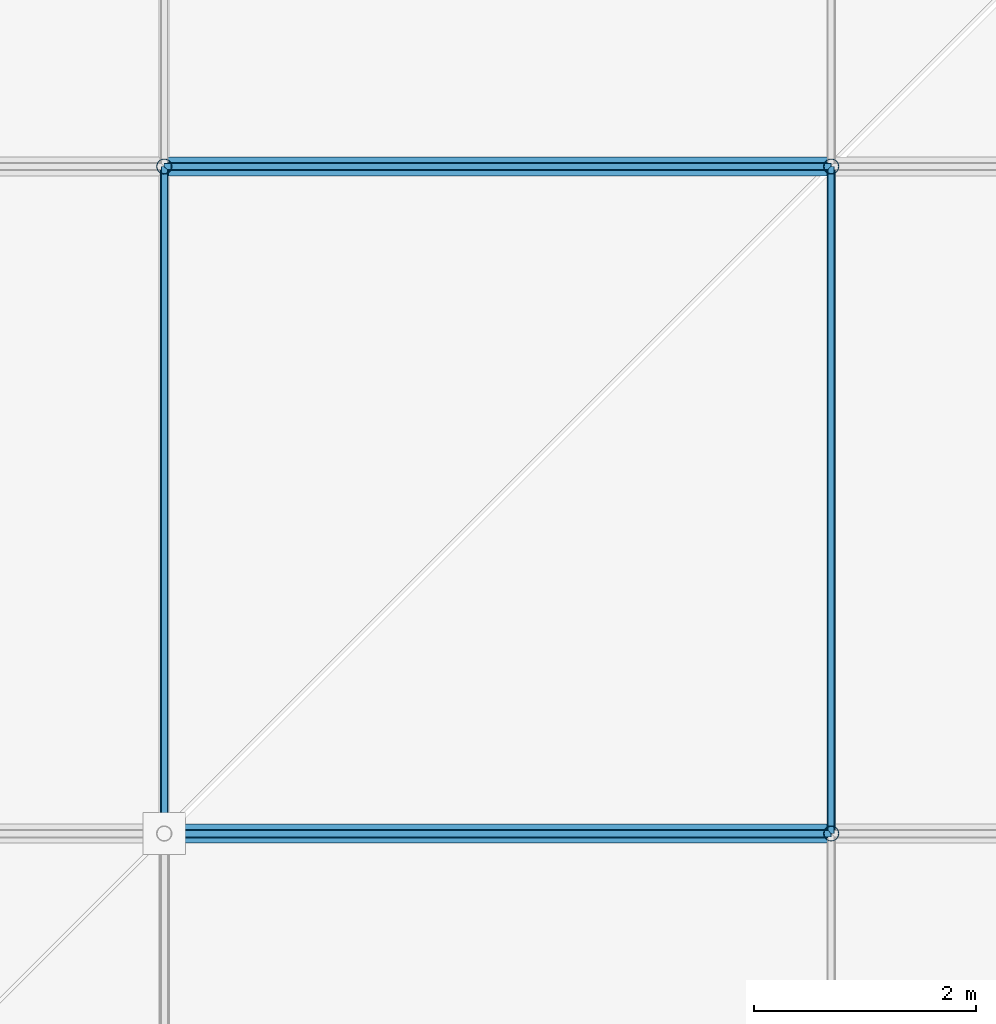
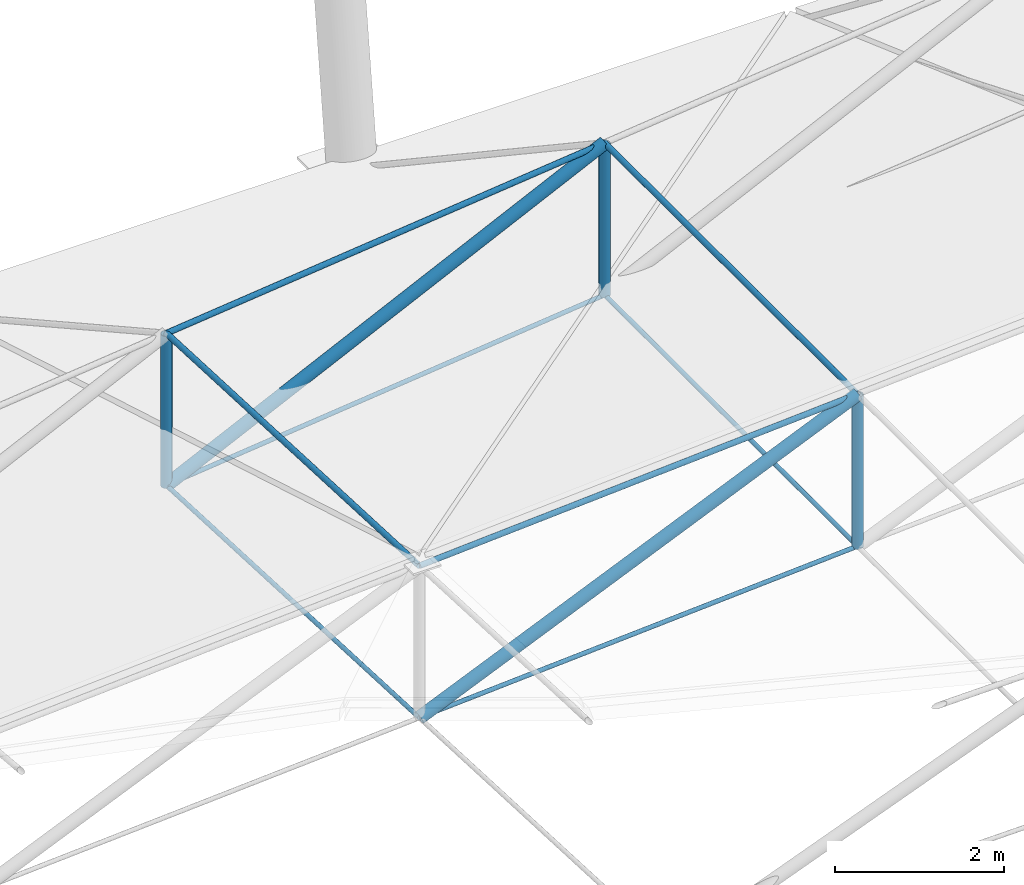
# One storey, part 30 of 132: 13 members.
"""IFC4 building model written with IfcOpenShell, lengths in metres."""

from ifc_helpers import new_model, si_unit, direction, frame, origin, origin_2d, place, context, subcontext, project, spatial, circle, hollow_circle, extrude, material, material_profile, profile_set, type_object, element, save


model = new_model("IFC4")

# Units and contexts
model_context = context("Model", 3, precision=1e-05, world=origin(), true_north=direction((0.0, 1.0)))
body_context = subcontext(model_context, "Body", "Model", "MODEL_VIEW")
ifc_project = project(units=[si_unit("LENGTHUNIT", "METRE"), si_unit("AREAUNIT", "SQUARE_METRE"), si_unit("VOLUMEUNIT", "CUBIC_METRE"), si_unit("PLANEANGLEUNIT", "RADIAN"), si_unit("MASSUNIT", "GRAM", prefix="KILO")], contexts=[model_context])

# Site, building, storey
site_placement = place(None, origin())
site = spatial("IfcSite", under=ifc_project, at=site_placement, CompositionType="ELEMENT")
building_placement = place(site_placement, origin())
building = spatial("IfcBuilding", under=site, at=building_placement, Name="Deido Ridge Mobility Hub", CompositionType="ELEMENT")
storey_placement = place(building_placement, frame((0.0, 0.0, 8.39990234375)))
storey = spatial("IfcBuildingStorey", under=building, at=storey_placement, Name="L02", CompositionType="ELEMENT", Elevation=8.39990234375)

# Members
ifc_material_1 = material(Name="Steel S460M EN 10025-4", Category="steel")
ifc_material_profile_1 = material_profile(ifc_material_1, circle(Radius=0.030029296875, at=origin_2d()), Name="CABLE D60")
ifc_profile_set_1 = profile_set([ifc_material_profile_1], Name="Steel S460M EN 10025-4")
member_type_1 = type_object("IfcMemberType", Name="MEM-CBL-D60", PredefinedType="USERDEFINED", material=ifc_profile_set_1)
member_1_placement = place(storey_placement, frame((24.0, 24.0, 1.416748046875), z_axis=(0.997965676134, 0.0, 0.063753503887), x_axis=(0.0, 1.0, 0.0)))
element("IfcMember", 1, at=member_1_placement, inside=storey, type_object=member_type_1, Name="Saddle lower stabilizing cable CB3", ObjectType="TENSION CABLE", PredefinedType="USERDEFINED", context=body_context, shape_type="SweptSolid", body=[
    extrude(circle(Radius=0.030029296875, at=origin_2d()), origin(), (0.0, 0.0, 1.0), 6.01220703125),
])
member_2_placement = place(storey_placement, frame((24.0, 30.0, 1.143310546875), z_axis=(0.994062945023, 0.0, 0.108806531661), x_axis=(0.0, 1.0, 0.0)))
element("IfcMember", 2, at=member_2_placement, inside=storey, type_object=member_type_1, Name="Saddle lower stabilizing cable CB3", ObjectType="TENSION CABLE", PredefinedType="USERDEFINED", context=body_context, shape_type="SweptSolid", body=[
    extrude(circle(Radius=0.030029296875, at=origin_2d()), origin(), (0.0, 0.0, 1.0), 6.035888671875),
])
member_3_placement = place(storey_placement, frame((24.0, 24.0, 1.416748046875), z_axis=(0.0, 0.998963169392, -0.045525665272), x_axis=(-1.0, 0.0, 0.0)))
element("IfcMember", 3, at=member_3_placement, inside=storey, type_object=member_type_1, Name="Saddle transverse valley cable CB3", ObjectType="TENSION CABLE", PredefinedType="USERDEFINED", context=body_context, shape_type="SweptSolid", body=[
    extrude(circle(Radius=0.030029296875, at=origin_2d()), origin(), (0.0, 0.0, 1.0), 6.00634765625),
])
member_4_placement = place(storey_placement, frame((30.0, 24.0, 1.800048828125), z_axis=(0.0, 1.0, 0.0), x_axis=(-1.0, 0.0, 0.0)))
element("IfcMember", 4, at=member_4_placement, inside=storey, type_object=member_type_1, Name="Saddle transverse valley cable CB3", ObjectType="TENSION CABLE", PredefinedType="USERDEFINED", context=body_context, shape_type="SweptSolid", body=[
    extrude(circle(Radius=0.030029296875, at=origin_2d()), origin(), (0.0, 0.0, 1.0), 6.0),
])
ifc_material_profile_2 = material_profile(ifc_material_1, circle(Radius=0.0380859375, at=origin_2d()), Name="CABLE D76")
ifc_profile_set_2 = profile_set([ifc_material_profile_2], Name="Steel S460M EN 10025-4")
member_type_2 = type_object("IfcMemberType", Name="MEM-CBL-D76", PredefinedType="USERDEFINED", material=ifc_profile_set_2)
member_5_placement = place(storey_placement, frame((24.0, 24.0, 3.61669921875), z_axis=(0.997965676134, 0.0, 0.063753503887), x_axis=(0.0, 1.0, 0.0)))
element("IfcMember", 5, at=member_5_placement, inside=storey, type_object=member_type_2, Name="Saddle upper longitudinal cable CB2", ObjectType="TENSION CABLE", PredefinedType="USERDEFINED", context=body_context, shape_type="SweptSolid", body=[
    extrude(circle(Radius=0.0380859375, at=origin_2d()), origin(), (0.0, 0.0, 1.0), 6.01220703125),
])
member_6_placement = place(storey_placement, frame((24.0, 30.0, 3.343505859375), z_axis=(0.994067319173, 0.0, 0.108766561737), x_axis=(0.0, 1.0, 0.0)))
element("IfcMember", 6, at=member_6_placement, inside=storey, type_object=member_type_2, Name="Saddle upper longitudinal cable CB2", ObjectType="TENSION CABLE", PredefinedType="USERDEFINED", context=body_context, shape_type="SweptSolid", body=[
    extrude(circle(Radius=0.0380859375, at=origin_2d()), origin(), (0.0, 0.0, 1.0), 6.035888671875),
])
member_7_placement = place(storey_placement, frame((24.0, 24.0, 3.61669921875), z_axis=(0.0, 0.998965017176, -0.04548510149), x_axis=(-1.0, 0.0, 0.0)))
element("IfcMember", 7, at=member_7_placement, inside=storey, type_object=member_type_2, Name="Saddle transverse ridge cable CB2", ObjectType="TENSION CABLE", PredefinedType="USERDEFINED", context=body_context, shape_type="SweptSolid", body=[
    extrude(circle(Radius=0.0380859375, at=origin_2d()), origin(), (0.0, 0.0, 1.0), 6.006103515625),
])
member_8_placement = place(storey_placement, frame((30.0, 24.0, 4.0), z_axis=(0.0, 1.0, 0.0), x_axis=(-1.0, 0.0, 0.0)))
element("IfcMember", 8, at=member_8_placement, inside=storey, type_object=member_type_2, Name="Saddle transverse ridge cable CB2", ObjectType="TENSION CABLE", PredefinedType="USERDEFINED", context=body_context, shape_type="SweptSolid", body=[
    extrude(circle(Radius=0.0380859375, at=origin_2d()), origin(), (0.0, 0.0, 1.0), 6.0),
])
ifc_material_2 = material(Name="Steel S355J2H EN 10210-1", Category="steel")
ifc_material_profile_3 = material_profile(ifc_material_2, hollow_circle(Radius=0.06982421875, WallThickness=0.00634765625, at=origin_2d()), Name="CHS 139.7x6.3")
ifc_profile_set_3 = profile_set([ifc_material_profile_3], Name="Steel S355J2H EN 10210-1")
member_type_3 = type_object("IfcMemberType", Name="MEM-STR-CHS140", PredefinedType="STRUT", material=ifc_profile_set_3)
member_9_placement = place(storey_placement, frame((24.0, 30.0, 1.143310546875), z_axis=(0.0, 0.0, 1.0), x_axis=(1.0, 0.0, 0.0)))
element("IfcMember", 9, at=member_9_placement, inside=storey, type_object=member_type_3, Name="Cable-net vertical spreader strut SR2", PredefinedType="STRUT", context=body_context, shape_type="SweptSolid", body=[
    extrude(hollow_circle(Radius=0.06982421875, WallThickness=0.00634765625, at=origin_2d()), origin(), (0.0, 0.0, 1.0), 2.2001953125),
])
for number, where, z_axis, x_axis, name in (
    (10, (30.0, 24.0, 1.800048828125), (0.0, 0.0, 1.0), (1.0, 0.0, 0.0), "Cable-net vertical spreader strut SR2"),
    (11, (30.0, 30.0, 1.800048828125), (0.0, 0.0, 1.0), (1.0, 0.0, 0.0), "Cable-net vertical spreader strut SR2"),
):
    element("IfcMember", number, at=place(storey_placement, frame(where, z_axis=z_axis, x_axis=x_axis)), inside=storey, type_object=member_type_3, Name=name, PredefinedType="STRUT", context=body_context, shape_type="SweptSolid", body=[
        extrude(hollow_circle(Radius=0.06982421875, WallThickness=0.00634765625, at=origin_2d()), origin(), (0.0, 0.0, 1.0), 2.199951171875),
    ])
ifc_material_profile_4 = material_profile(ifc_material_2, hollow_circle(Radius=0.084228515625, WallThickness=0.008056640625, at=origin_2d()), Name="CHS 168.3x8")
ifc_profile_set_4 = profile_set([ifc_material_profile_4], Name="Steel S355J2H EN 10210-1")
member_type_4 = type_object("IfcMemberType", Name="MEM-STR-CHS168", PredefinedType="STRUT", material=ifc_profile_set_4)
member_10_placement = place(storey_placement, frame((24.0, 24.0, 1.416748046875), z_axis=(0.91848843506, 0.0, 0.395447840632), x_axis=(0.0, 1.0, 0.0)))
element("IfcMember", 12, at=member_10_placement, inside=storey, type_object=member_type_4, Name="Saddle diagonal web strut SR1", PredefinedType="STRUT", context=body_context, shape_type="SweptSolid", body=[
    extrude(hollow_circle(Radius=0.084228515625, WallThickness=0.008056640625, at=origin_2d()), origin(), (0.0, 0.0, 1.0), 6.532470703125),
])
member_11_placement = place(storey_placement, frame((24.0, 30.0, 1.143310546875), z_axis=(0.902887001475, 0.0, 0.429877962413), x_axis=(0.0, 1.0, 0.0)))
element("IfcMember", 13, at=member_11_placement, inside=storey, type_object=member_type_4, Name="Saddle diagonal web strut SR1", PredefinedType="STRUT", context=body_context, shape_type="SweptSolid", body=[
    extrude(hollow_circle(Radius=0.084228515625, WallThickness=0.008056640625, at=origin_2d()), origin(), (0.0, 0.0, 1.0), 6.645263671875),
])

save(model, "model.ifc")
